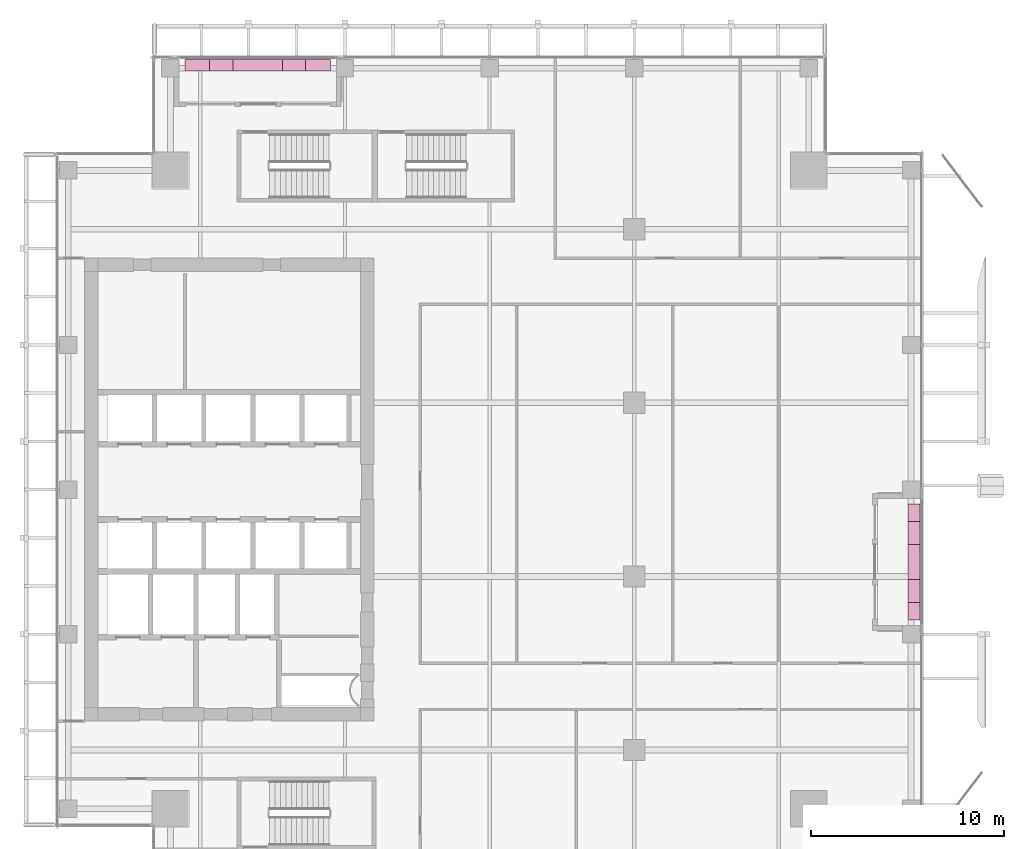
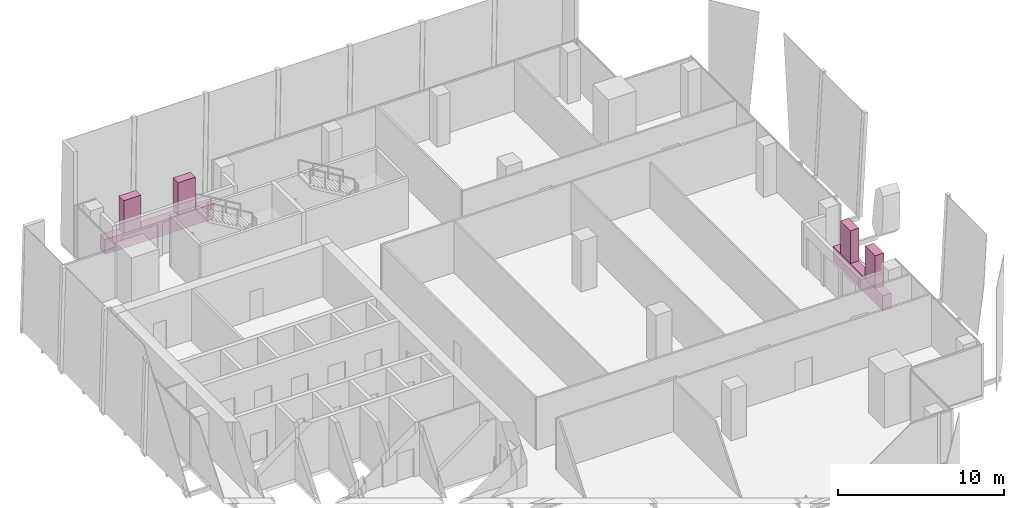
# One storey, part 35 of 35: 6 furnishings.
"""IFC4 building model written with IfcOpenShell, lengths in metres."""

from ifc_helpers import new_model, si_unit, direction, frame, origin, origin_2d, place, context, subcontext, project, spatial, rectangle, extrude, source, transform, mapped, material, type_object, element, save


model = new_model("IFC4")

# Units and contexts
model_context = context("Model", 3, precision=1e-05, world=origin(), true_north=direction((0.0, 1.0)))
body_context = subcontext(model_context, "Body", "Model", "MODEL_VIEW")
ifc_project = project(units=[si_unit("LENGTHUNIT", "METRE"), si_unit("AREAUNIT", "SQUARE_METRE"), si_unit("VOLUMEUNIT", "CUBIC_METRE"), si_unit("PLANEANGLEUNIT", "RADIAN"), si_unit("MASSUNIT", "GRAM", prefix="KILO")], contexts=[model_context])

# Site, building, storey
site_placement = place(None, origin())
site = spatial("IfcSite", under=ifc_project, at=site_placement, CompositionType="ELEMENT")
building_placement = place(site_placement, origin())
building = spatial("IfcBuilding", under=site, at=building_placement, Name="Khomas Fold Tower", CompositionType="ELEMENT")
storey_placement = place(building_placement, frame((0.0, 0.0, 258.199951171875)))
storey = spatial("IfcBuildingStorey", under=building, at=storey_placement, Name="L58", CompositionType="ELEMENT", Elevation=258.199951171875)

# Furnishings
ifc_material_1 = material(Name="Planting")
furnishing_element_type_1 = type_object("IfcFurnishingElementType", Name="BL-Tree Karee", material=ifc_material_1)
shared_shape_1 = source(origin(), body_context, "Body", "SweptSolid", [
    extrude(rectangle(XDim=1.199951171875, YDim=0.60009765625, at=origin_2d()), origin(), (0.0, 0.0, 1.0), 2.39501953125),
])
furnishing_1_placement = place(storey_placement, frame((49.0, 21.75, 1.054931640625), z_axis=(0.0, 0.0, 1.0), x_axis=(0.0, 1.0, 0.0)))
element("IfcFurnishingElement", 1, at=furnishing_1_placement, inside=storey, type_object=furnishing_element_type_1, Name="PLANTER (TREE) Karee BAL-L58-E2-1", context=body_context, shape_type="MappedRepresentation", body=[
    mapped(shared_shape_1, transform((0.0, 0.0, 0.0))),
])
ifc_material_2 = material(Name="Planting")
furnishing_element_type_2 = type_object("IfcFurnishingElementType", Name="BL-Tree Wild olive", material=ifc_material_2)
for number, where, z_axis, x_axis, name in (
    (2, (49.0, 24.75, 1.054931640625), (0.0, 0.0, 1.0), (0.0, 1.0, 0.0), "PLANTER (TREE) Wild olive BAL-L58-E2-2"),
    (3, (13.08740234375, 49.0, 1.054931640625), (0.0, 0.0, 1.0), (1.0, 0.0, 0.0), "PLANTER (TREE) Wild olive BAL-L58-N1-1"),
):
    element("IfcFurnishingElement", number, at=place(storey_placement, frame(where, z_axis=z_axis, x_axis=x_axis)), inside=storey, type_object=furnishing_element_type_2, Name=name, context=body_context, shape_type="MappedRepresentation", body=[
        mapped(shared_shape_1, transform((0.0, 0.0, 0.0))),
    ])
ifc_material_3 = material(Name="Planting")
furnishing_element_type_3 = type_object("IfcFurnishingElementType", Name="BL-Tree Shepherd's tree", material=ifc_material_3)
furnishing_2_placement = place(storey_placement, frame((16.862548828125, 49.0, 1.054931640625), z_axis=(0.0, 0.0, 1.0), x_axis=(1.0, 0.0, 0.0)))
element("IfcFurnishingElement", 4, at=furnishing_2_placement, inside=storey, type_object=furnishing_element_type_3, Name="PLANTER (TREE) Shepherd's tree BAL-L58-N1-2", context=body_context, shape_type="MappedRepresentation", body=[
    mapped(shared_shape_1, transform((0.0, 0.0, 0.0))),
])
ifc_material_4 = material(Name="Precast concrete C40/50", Category="concrete")
furnishing_element_type_4 = type_object("IfcFurnishingElementType", Name="BL-Structural planter box", material=ifc_material_4)
shared_shape_2 = source(origin(), body_context, "Body", "SweptSolid", [
    extrude(rectangle(XDim=7.550048828125, YDim=0.60009765625, at=origin_2d()), origin(), (0.0, 0.0, 1.0), 1.10009765625),
])
furnishing_3_placement = place(storey_placement, frame((14.97509765625, 49.0, -0.044921875), z_axis=(0.0, 0.0, 1.0), x_axis=(1.0, 0.0, 0.0)))
element("IfcFurnishingElement", 5, at=furnishing_3_placement, inside=storey, type_object=furnishing_element_type_4, Name="PLANTER BAL-L58-N1", context=body_context, shape_type="MappedRepresentation", body=[
    mapped(shared_shape_2, transform((0.0, 0.0, 0.0))),
])
shared_shape_3 = source(origin(), body_context, "Body", "SweptSolid", [
    extrude(rectangle(XDim=6.0, YDim=0.60009765625, at=origin_2d()), origin(), (0.0, 0.0, 1.0), 1.10009765625),
])
furnishing_4_placement = place(storey_placement, frame((49.0, 23.25, -0.044921875), z_axis=(0.0, 0.0, 1.0), x_axis=(0.0, 1.0, 0.0)))
element("IfcFurnishingElement", 6, at=furnishing_4_placement, inside=storey, type_object=furnishing_element_type_4, Name="PLANTER BAL-L58-E2", context=body_context, shape_type="MappedRepresentation", body=[
    mapped(shared_shape_3, transform((0.0, 0.0, 0.0))),
])

save(model, "model.ifc")
